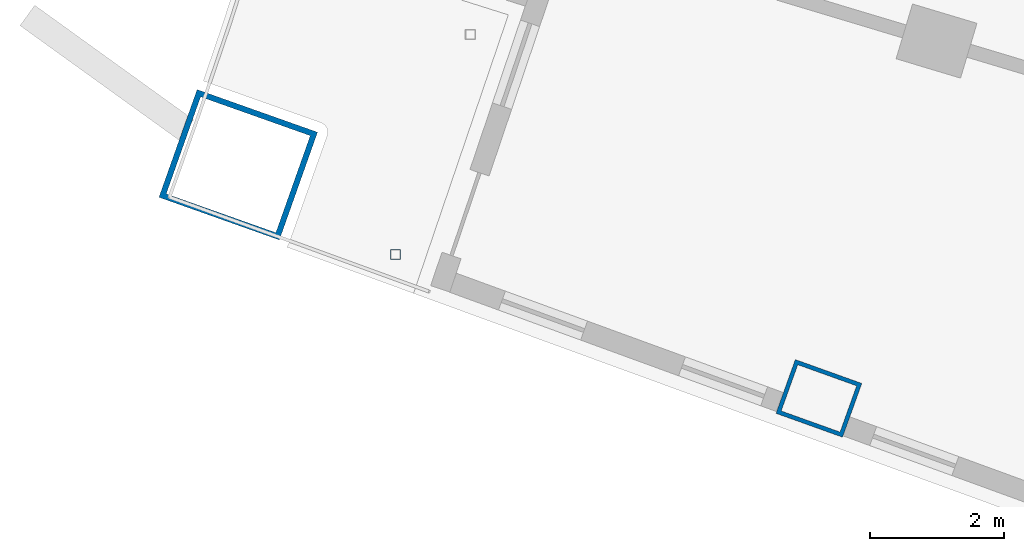
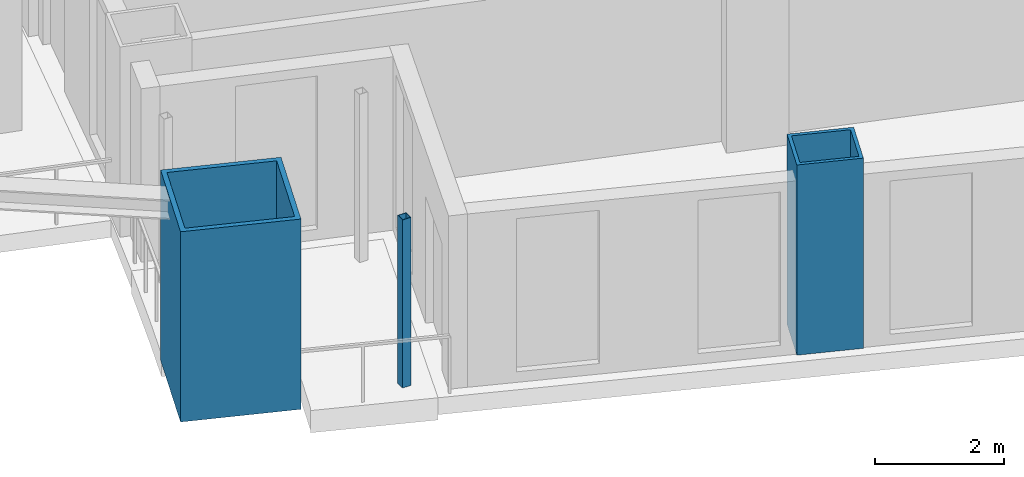
# One storey, part 1 of 24: 3 columns.
"""IFC4 building model written with IfcOpenShell, lengths in metres."""

from ifc_helpers import new_model, si_unit, direction, frame, origin, origin_2d, place, context, subcontext, project, spatial, hollow_rectangle, extrude, material, material_profile, profile_set, type_object, element, save


model = new_model("IFC4")

# Units and contexts
model_context = context("Model", 3, precision=1e-05, world=origin(), true_north=direction((0.0, 1.0)))
body_context = subcontext(model_context, "Body", "Model", "MODEL_VIEW")
ifc_project = project(units=[si_unit("LENGTHUNIT", "METRE"), si_unit("AREAUNIT", "SQUARE_METRE"), si_unit("VOLUMEUNIT", "CUBIC_METRE"), si_unit("PLANEANGLEUNIT", "RADIAN"), si_unit("MASSUNIT", "GRAM", prefix="KILO")], contexts=[model_context])

# Site, building, storey
site_placement = place(None, origin())
site = spatial("IfcSite", under=ifc_project, at=site_placement, CompositionType="ELEMENT")
building_placement = place(site_placement, origin())
building = spatial("IfcBuilding", under=site, at=building_placement, Name="Alderwake Tower", CompositionType="ELEMENT")
storey_placement = place(building_placement, frame((0.0, 0.0, 96.800048828125)))
storey = spatial("IfcBuildingStorey", under=building, at=storey_placement, Name="L23", CompositionType="ELEMENT", Elevation=96.800048828125)

# Columns
ifc_material_1 = material(Name="Steel ASTM A572 Grade 50 concrete filled C70/85", Category="concrete")
ifc_material_profile_1 = material_profile(ifc_material_1, hollow_rectangle(XDim=0.85009765625, YDim=1.050048828125, WallThickness=0.06005859375, at=origin_2d()), Name="BOX 1050X850X60")
ifc_profile_set_1 = profile_set([ifc_material_profile_1], Name="Steel ASTM A572 Grade 50 concrete filled C70/85")
column_type_1 = type_object("IfcColumnType", Name="End column Z2", PredefinedType="COLUMN", material=ifc_profile_set_1)
column_1_placement = place(storey_placement, frame((19.965576171875, 25.1484375, 0.0), z_axis=(0.0, 0.0, 1.0), x_axis=(0.337584879279, 0.9412950915, 0.0)))
element("IfcColumn", 1, at=column_1_placement, inside=storey, type_object=column_type_1, Name="Column R01-C1", PredefinedType="COLUMN", context=body_context, shape_type="SweptSolid", body=[
    extrude(hollow_rectangle(XDim=0.85009765625, YDim=1.050048828125, WallThickness=0.06005859375, at=origin_2d()), origin(), (0.0, 0.0, 1.0), 3.599853515625),
])
ifc_material_2 = material(Name="Steel ASTM A500 Grade C", Category="steel")
ifc_material_profile_2 = material_profile(ifc_material_2, hollow_rectangle(XDim=0.15234375, YDim=0.15234375, WallThickness=0.0087890625, at=origin_2d()), Name="HSS6X6X3/8")
ifc_profile_set_2 = profile_set([ifc_material_profile_2], Name="Steel ASTM A500 Grade C")
column_type_2 = type_object("IfcColumnType", Name="Light post HSS6X6X3/8", PredefinedType="COLUMN", material=ifc_profile_set_2)
column_2_placement = place(storey_placement, frame((13.66796875, 27.28759765625, 0.0), z_axis=(0.0, 0.0, 1.0), x_axis=(1.0, 0.0, 0.0)))
element("IfcColumn", 2, at=column_2_placement, inside=storey, type_object=column_type_2, Name="Terrace post RS2", PredefinedType="COLUMN", context=body_context, shape_type="SweptSolid", body=[
    extrude(hollow_rectangle(XDim=0.15234375, YDim=0.15234375, WallThickness=0.0087890625, at=origin_2d()), origin(), (0.0, 0.0, 1.0), 3.179931640625),
])
ifc_material_3 = material(Name="Steel ASTM A572 Grade 50 concrete filled C70/85", Category="concrete")
ifc_material_profile_3 = material_profile(ifc_material_3, hollow_rectangle(XDim=1.699951171875, YDim=1.89990234375, WallThickness=0.0849609375, at=origin_2d()), Name="BOX 1900X1700X85")
ifc_profile_set_3 = profile_set([ifc_material_profile_3], Name="Steel ASTM A572 Grade 50 concrete filled C70/85")
column_type_3 = type_object("IfcColumnType", Name="Mega column Z2", PredefinedType="COLUMN", material=ifc_profile_set_3)
column_3_placement = place(storey_placement, frame((11.330810546875, 28.622802734375, 0.0), z_axis=(0.0, 0.0, 1.0), x_axis=(0.334130947791, 0.942526662609, 0.0)))
element("IfcColumn", 3, at=column_3_placement, inside=storey, type_object=column_type_3, Name="Column R01-C0", PredefinedType="COLUMN", context=body_context, shape_type="SweptSolid", body=[
    extrude(hollow_rectangle(XDim=1.699951171875, YDim=1.89990234375, WallThickness=0.0849609375, at=origin_2d()), origin(), (0.0, 0.0, 1.0), 3.599853515625),
])

save(model, "model.ifc")
